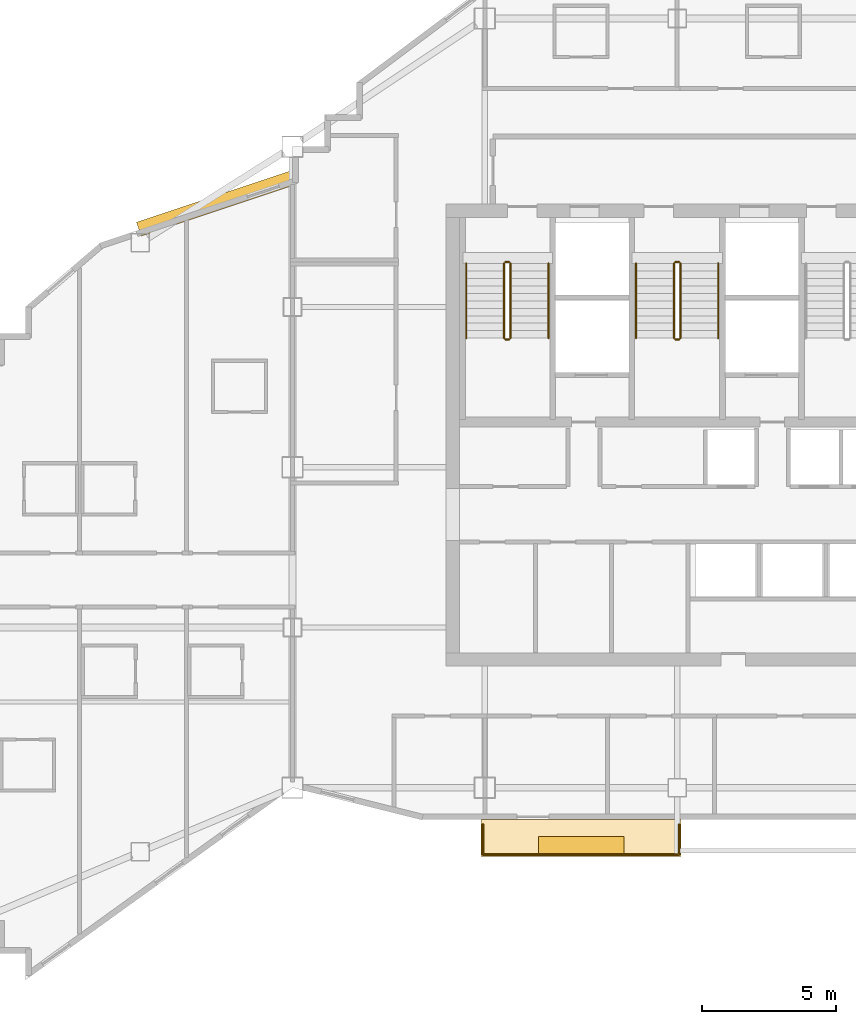
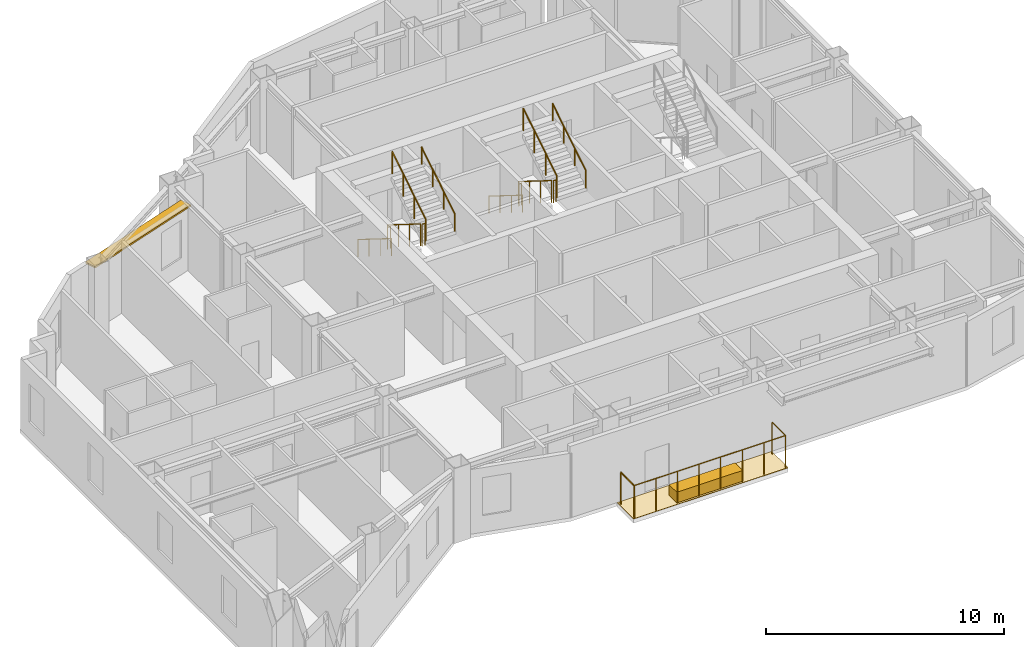
# One storey, part 10 of 11: 14 railings, 2 coverings, 1 shading device.
"""IFC4 building model written with IfcOpenShell, lengths in metres."""

from ifc_helpers import new_model, si_unit, direction, frame, origin, origin_2d, place, context, subcontext, project, spatial, polyline, rectangle, circle, outline, extrude, material, layer, layer_set, type_object, element, save


model = new_model("IFC4")

# Units and contexts
model_context = context("Model", 3, precision=1e-05, world=origin(), true_north=direction((0.0, 1.0)))
body_context = subcontext(model_context, "Body", "Model", "MODEL_VIEW")
ifc_project = project(units=[si_unit("LENGTHUNIT", "METRE"), si_unit("AREAUNIT", "SQUARE_METRE"), si_unit("VOLUMEUNIT", "CUBIC_METRE"), si_unit("PLANEANGLEUNIT", "RADIAN"), si_unit("MASSUNIT", "GRAM", prefix="KILO")], contexts=[model_context])

# Site, building, storey
site_placement = place(None, origin())
site = spatial("IfcSite", under=ifc_project, at=site_placement, CompositionType="ELEMENT")
building_placement = place(site_placement, origin())
building = spatial("IfcBuilding", under=site, at=building_placement, Name="Haolan Belvedere Tower", CompositionType="ELEMENT")
storey_placement = place(building_placement, frame((0.0, 0.0, 254.449951171875)))
storey = spatial("IfcBuildingStorey", under=building, at=storey_placement, Name="L64", CompositionType="ELEMENT", Elevation=254.449951171875)

# Coverings
ifc_material_1 = material(Name="Engineered lightweight planted garden soil substrate", Category="masonry")
ifc_layer_1 = layer(ifc_material_1, 0.550048828125, Name="Engineered lightweight planted garden soil substrate")
ifc_layer_set_1 = layer_set([ifc_layer_1], Name="Engineered lightweight planted garden soil substrate")
covering_type_1 = type_object("IfcCoveringType", Name="COV-PLANT-550", PredefinedType="MEMBRANE", material=ifc_layer_set_1)
covering_1_placement = place(storey_placement, frame((34.800048828125, 19.43994140625, 0.0), z_axis=(0.0, 0.0, 1.0), x_axis=(1.0, 0.0, 0.0)))
element("IfcCovering", 1, at=covering_1_placement, inside=storey, type_object=covering_type_1, Name="L64 structural tree balcony PLANTER box 1", PredefinedType="MEMBRANE", context=body_context, shape_type="SweptSolid", body=[
    extrude(rectangle(XDim=3.199951171875, YDim=0.64990234375, at=origin_2d()), origin(), (0.0, 0.0, 1.0), 0.550048828125),
])
ifc_material_2 = material(Name="Elastomeric waterproof roofing membrane and stone pavers", Category="masonry")
ifc_layer_2 = layer(ifc_material_2, 0.02001953125, Name="Elastomeric waterproof roofing membrane and stone pavers")
ifc_layer_set_2 = layer_set([ifc_layer_2], Name="Elastomeric waterproof roofing membrane and stone pavers")
covering_type_2 = type_object("IfcCoveringType", Name="COV-ROOF-20", PredefinedType="ROOFING", material=ifc_layer_set_2)
covering_2_placement = place(storey_placement, frame((0.0, 0.0, -0.02001953125)))
element("IfcCovering", 2, at=covering_2_placement, inside=storey, type_object=covering_type_2, Name="L64 tree-balcony waterproof membrane 1", PredefinedType="ROOFING", context=body_context, shape_type="SweptSolid", body=[
    extrude(outline(polyline([(31.050048828125, 19.02001953125), (38.550048828125, 19.02001953125), (38.550048828125, 20.39990234375), (31.050048828125, 20.39990234375), (31.050048828125, 19.02001953125)])), origin(), (0.0, 0.0, 1.0), 0.02001953125),
])

# Railings
ifc_material_3 = material(Name="Brushed stainless steel 304", Category="steel")
railing_type_1 = type_object("IfcRailingType", Name="RL-STAIR-GRD-1150", PredefinedType="GUARDRAIL", material=ifc_material_3)
railing_1_placement = place(storey_placement, frame((31.919921875, 41.22998046875, 0.175048828125)))
element("IfcRailing", 3, at=railing_1_placement, inside=storey, type_object=railing_type_1, Name="L64 ST1 stair guard 1", PredefinedType="GUARDRAIL", context=body_context, shape_type="SweptSolid", body=[
    extrude(circle(Radius=0.02392578125, at=origin_2d()), frame((0.0, 0.0, 1.1259765625), z_axis=(0.0, -0.848002457836, 0.529992293815), x_axis=(1.0, 0.0, 0.0)), (0.0, 0.0, 1.0), 3.302001953125),
    extrude(circle(Radius=0.02099609375, at=origin_2d()), origin(), (0.0, 0.0, 1.0), 1.101806640625),
    extrude(circle(Radius=0.02099609375, at=origin_2d()), frame((0.0, -0.933349609375, 0.583251953125)), (0.0, 0.0, 1.0), 1.101806640625),
    extrude(circle(Radius=0.02099609375, at=origin_2d()), frame((0.0, -1.86669921875, 1.166748046875)), (0.0, 0.0, 1.0), 1.101806640625),
    extrude(circle(Radius=0.02099609375, at=origin_2d()), frame((0.0, -2.800048828125, 1.75)), (0.0, 0.0, 1.0), 1.101806640625),
])
railing_2_placement = place(storey_placement, frame((31.969970703125, 38.3798828125, 1.925048828125)))
element("IfcRailing", 4, at=railing_2_placement, inside=storey, type_object=railing_type_1, Name="L64 ST1 stair guard 2", PredefinedType="GUARDRAIL", context=body_context, shape_type="SweptSolid", body=[
    extrude(circle(Radius=0.02392578125, at=origin_2d()), frame((0.0, 0.0, 1.1259765625), z_axis=(1.0, 0.0, 0.0), x_axis=(0.0, 1.0, 0.0)), (0.0, 0.0, 1.0), 0.14013671875),
    extrude(circle(Radius=0.02099609375, at=origin_2d()), origin(), (0.0, 0.0, 1.0), 1.101806640625),
    extrude(circle(Radius=0.02099609375, at=origin_2d()), frame((0.14013671875, 0.0, 0.0)), (0.0, 0.0, 1.0), 1.101806640625),
])
railing_3_placement = place(storey_placement, frame((32.159912109375, 38.429931640625, 2.10009765625)))
element("IfcRailing", 5, at=railing_3_placement, inside=storey, type_object=railing_type_1, Name="L64 ST1 stair guard 3", PredefinedType="GUARDRAIL", context=body_context, shape_type="SweptSolid", body=[
    extrude(circle(Radius=0.02392578125, at=origin_2d()), frame((0.0, 0.0, 1.1259765625), z_axis=(0.0, 0.848002457836, 0.529992293815), x_axis=(-1.0, 0.0, 0.0)), (0.0, 0.0, 1.0), 3.302001953125),
    extrude(circle(Radius=0.02099609375, at=origin_2d()), origin(), (0.0, 0.0, 1.0), 1.101806640625),
    extrude(circle(Radius=0.02099609375, at=origin_2d()), frame((0.0, 0.933349609375, 0.583251953125)), (0.0, 0.0, 1.0), 1.101806640625),
    extrude(circle(Radius=0.02099609375, at=origin_2d()), frame((0.0, 1.86669921875, 1.166748046875)), (0.0, 0.0, 1.0), 1.101806640625),
    extrude(circle(Radius=0.02099609375, at=origin_2d()), frame((0.0, 2.800048828125, 1.75)), (0.0, 0.0, 1.0), 1.101806640625),
])
railing_4_placement = place(storey_placement, frame((31.969970703125, 41.280029296875, 0.0)))
element("IfcRailing", 6, at=railing_4_placement, inside=storey, type_object=railing_type_1, Name="L64 ST1 stair guard 4", PredefinedType="GUARDRAIL", context=body_context, shape_type="SweptSolid", body=[
    extrude(circle(Radius=0.02392578125, at=origin_2d()), frame((0.0, 0.0, 1.1259765625), z_axis=(1.0, 0.0, 0.0), x_axis=(0.0, 1.0, 0.0)), (0.0, 0.0, 1.0), 0.14013671875),
    extrude(circle(Radius=0.02099609375, at=origin_2d()), origin(), (0.0, 0.0, 1.0), 1.101806640625),
    extrude(circle(Radius=0.02099609375, at=origin_2d()), frame((0.14013671875, 0.0, 0.0)), (0.0, 0.0, 1.0), 1.101806640625),
])
railing_5_placement = place(storey_placement, frame((38.280029296875, 41.22998046875, 0.175048828125)))
element("IfcRailing", 7, at=railing_5_placement, inside=storey, type_object=railing_type_1, Name="L64 ST3 stair guard 1", PredefinedType="GUARDRAIL", context=body_context, shape_type="SweptSolid", body=[
    extrude(circle(Radius=0.02392578125, at=origin_2d()), frame((0.0, 0.0, 1.1259765625), z_axis=(0.0, -0.848002457836, 0.529992293815), x_axis=(1.0, 0.0, 0.0)), (0.0, 0.0, 1.0), 3.302001953125),
    extrude(circle(Radius=0.02099609375, at=origin_2d()), origin(), (0.0, 0.0, 1.0), 1.101806640625),
    extrude(circle(Radius=0.02099609375, at=origin_2d()), frame((0.0, -0.933349609375, 0.583251953125)), (0.0, 0.0, 1.0), 1.101806640625),
    extrude(circle(Radius=0.02099609375, at=origin_2d()), frame((0.0, -1.86669921875, 1.166748046875)), (0.0, 0.0, 1.0), 1.101806640625),
    extrude(circle(Radius=0.02099609375, at=origin_2d()), frame((0.0, -2.800048828125, 1.75)), (0.0, 0.0, 1.0), 1.101806640625),
])
railing_6_placement = place(storey_placement, frame((38.330078125, 38.3798828125, 1.925048828125)))
element("IfcRailing", 8, at=railing_6_placement, inside=storey, type_object=railing_type_1, Name="L64 ST3 stair guard 2", PredefinedType="GUARDRAIL", context=body_context, shape_type="SweptSolid", body=[
    extrude(circle(Radius=0.02392578125, at=origin_2d()), frame((0.0, 0.0, 1.1259765625), z_axis=(1.0, 0.0, 0.0), x_axis=(0.0, 1.0, 0.0)), (0.0, 0.0, 1.0), 0.139892578125),
    extrude(circle(Radius=0.02099609375, at=origin_2d()), origin(), (0.0, 0.0, 1.0), 1.101806640625),
    extrude(circle(Radius=0.02099609375, at=origin_2d()), frame((0.139892578125, 0.0, 0.0)), (0.0, 0.0, 1.0), 1.101806640625),
])
railing_7_placement = place(storey_placement, frame((38.52001953125, 38.429931640625, 2.10009765625)))
element("IfcRailing", 9, at=railing_7_placement, inside=storey, type_object=railing_type_1, Name="L64 ST3 stair guard 3", PredefinedType="GUARDRAIL", context=body_context, shape_type="SweptSolid", body=[
    extrude(circle(Radius=0.02392578125, at=origin_2d()), frame((0.0, 0.0, 1.1259765625), z_axis=(0.0, 0.848002457836, 0.529992293815), x_axis=(-1.0, 0.0, 0.0)), (0.0, 0.0, 1.0), 3.302001953125),
    extrude(circle(Radius=0.02099609375, at=origin_2d()), origin(), (0.0, 0.0, 1.0), 1.101806640625),
    extrude(circle(Radius=0.02099609375, at=origin_2d()), frame((0.0, 0.933349609375, 0.583251953125)), (0.0, 0.0, 1.0), 1.101806640625),
    extrude(circle(Radius=0.02099609375, at=origin_2d()), frame((0.0, 1.86669921875, 1.166748046875)), (0.0, 0.0, 1.0), 1.101806640625),
    extrude(circle(Radius=0.02099609375, at=origin_2d()), frame((0.0, 2.800048828125, 1.75)), (0.0, 0.0, 1.0), 1.101806640625),
])
railing_8_placement = place(storey_placement, frame((38.330078125, 41.280029296875, 0.0)))
element("IfcRailing", 10, at=railing_8_placement, inside=storey, type_object=railing_type_1, Name="L64 ST3 stair guard 4", PredefinedType="GUARDRAIL", context=body_context, shape_type="SweptSolid", body=[
    extrude(circle(Radius=0.02392578125, at=origin_2d()), frame((0.0, 0.0, 1.1259765625), z_axis=(1.0, 0.0, 0.0), x_axis=(0.0, 1.0, 0.0)), (0.0, 0.0, 1.0), 0.139892578125),
    extrude(circle(Radius=0.02099609375, at=origin_2d()), origin(), (0.0, 0.0, 1.0), 1.101806640625),
    extrude(circle(Radius=0.02099609375, at=origin_2d()), frame((0.139892578125, 0.0, 0.0)), (0.0, 0.0, 1.0), 1.101806640625),
])
railing_type_2 = type_object("IfcRailingType", Name="RL-STAIR-HND-900", PredefinedType="HANDRAIL", material=ifc_material_3)
railing_9_placement = place(storey_placement, frame((30.5, 41.22998046875, 0.175048828125)))
element("IfcRailing", 11, at=railing_9_placement, inside=storey, type_object=railing_type_2, Name="L64 ST1 stair handrail 1", PredefinedType="HANDRAIL", context=body_context, shape_type="SweptSolid", body=[
    extrude(circle(Radius=0.02392578125, at=origin_2d()), frame((0.0, 0.0, 0.8759765625), z_axis=(0.0, -0.848002457836, 0.529992293815), x_axis=(1.0, 0.0, 0.0)), (0.0, 0.0, 1.0), 3.302001953125),
    extrude(circle(Radius=0.02099609375, at=origin_2d()), origin(), (0.0, 0.0, 1.0), 0.851806640625),
    extrude(circle(Radius=0.02099609375, at=origin_2d()), frame((0.0, -0.933349609375, 0.583251953125)), (0.0, 0.0, 1.0), 0.851806640625),
    extrude(circle(Radius=0.02099609375, at=origin_2d()), frame((0.0, -1.86669921875, 1.166748046875)), (0.0, 0.0, 1.0), 0.851806640625),
    extrude(circle(Radius=0.02099609375, at=origin_2d()), frame((0.0, -2.800048828125, 1.75)), (0.0, 0.0, 1.0), 0.851806640625),
])
railing_10_placement = place(storey_placement, frame((33.580078125, 38.429931640625, 2.10009765625)))
element("IfcRailing", 12, at=railing_10_placement, inside=storey, type_object=railing_type_2, Name="L64 ST1 stair handrail 2", PredefinedType="HANDRAIL", context=body_context, shape_type="SweptSolid", body=[
    extrude(circle(Radius=0.02392578125, at=origin_2d()), frame((0.0, 0.0, 0.8759765625), z_axis=(0.0, 0.848002457836, 0.529992293815), x_axis=(-1.0, 0.0, 0.0)), (0.0, 0.0, 1.0), 3.302001953125),
    extrude(circle(Radius=0.02099609375, at=origin_2d()), origin(), (0.0, 0.0, 1.0), 0.851806640625),
    extrude(circle(Radius=0.02099609375, at=origin_2d()), frame((0.0, 0.933349609375, 0.583251953125)), (0.0, 0.0, 1.0), 0.851806640625),
    extrude(circle(Radius=0.02099609375, at=origin_2d()), frame((0.0, 1.86669921875, 1.166748046875)), (0.0, 0.0, 1.0), 0.851806640625),
    extrude(circle(Radius=0.02099609375, at=origin_2d()), frame((0.0, 2.800048828125, 1.75)), (0.0, 0.0, 1.0), 0.851806640625),
])
railing_11_placement = place(storey_placement, frame((36.860107421875, 41.22998046875, 0.175048828125)))
element("IfcRailing", 13, at=railing_11_placement, inside=storey, type_object=railing_type_2, Name="L64 ST3 stair handrail 1", PredefinedType="HANDRAIL", context=body_context, shape_type="SweptSolid", body=[
    extrude(circle(Radius=0.02392578125, at=origin_2d()), frame((0.0, 0.0, 0.8759765625), z_axis=(0.0, -0.848002457836, 0.529992293815), x_axis=(1.0, 0.0, 0.0)), (0.0, 0.0, 1.0), 3.302001953125),
    extrude(circle(Radius=0.02099609375, at=origin_2d()), origin(), (0.0, 0.0, 1.0), 0.851806640625),
    extrude(circle(Radius=0.02099609375, at=origin_2d()), frame((0.0, -0.933349609375, 0.583251953125)), (0.0, 0.0, 1.0), 0.851806640625),
    extrude(circle(Radius=0.02099609375, at=origin_2d()), frame((0.0, -1.86669921875, 1.166748046875)), (0.0, 0.0, 1.0), 0.851806640625),
    extrude(circle(Radius=0.02099609375, at=origin_2d()), frame((0.0, -2.800048828125, 1.75)), (0.0, 0.0, 1.0), 0.851806640625),
])
railing_12_placement = place(storey_placement, frame((39.93994140625, 38.429931640625, 2.10009765625)))
element("IfcRailing", 14, at=railing_12_placement, inside=storey, type_object=railing_type_2, Name="L64 ST3 stair handrail 2", PredefinedType="HANDRAIL", context=body_context, shape_type="SweptSolid", body=[
    extrude(circle(Radius=0.02392578125, at=origin_2d()), frame((0.0, 0.0, 0.8759765625), z_axis=(0.0, 0.848002457836, 0.529992293815), x_axis=(-1.0, 0.0, 0.0)), (0.0, 0.0, 1.0), 3.302001953125),
    extrude(circle(Radius=0.02099609375, at=origin_2d()), origin(), (0.0, 0.0, 1.0), 0.851806640625),
    extrude(circle(Radius=0.02099609375, at=origin_2d()), frame((0.0, 0.933349609375, 0.583251953125)), (0.0, 0.0, 1.0), 0.851806640625),
    extrude(circle(Radius=0.02099609375, at=origin_2d()), frame((0.0, 1.86669921875, 1.166748046875)), (0.0, 0.0, 1.0), 0.851806640625),
    extrude(circle(Radius=0.02099609375, at=origin_2d()), frame((0.0, 2.800048828125, 1.75)), (0.0, 0.0, 1.0), 0.851806640625),
])
ifc_material_4 = material(Name="Anodised aluminium and laminated glass balustrade", Category="aluminium")
railing_type_3 = type_object("IfcRailingType", Name="RL-TER-BAL-1150", PredefinedType="BALUSTRADE", material=ifc_material_4)
railing_13_placement = place(storey_placement, frame((31.1298828125, 19.10009765625, 0.0)))
element("IfcRailing", 15, at=railing_13_placement, inside=storey, type_object=railing_type_3, Name="L64 outdoor perimeter balustrade BAL-L64-1-1", PredefinedType="BALUSTRADE", context=body_context, shape_type="SweptSolid", body=[
    extrude(circle(Radius=0.02392578125, at=origin_2d()), frame((0.0, 0.0, 1.6259765625), z_axis=(0.0, 1.0, 0.0), x_axis=(-1.0, 0.0, 0.0)), (0.0, 0.0, 1.0), 1.119873046875),
    extrude(circle(Radius=0.02099609375, at=origin_2d()), origin(), (0.0, 0.0, 1.0), 1.601806640625),
    extrude(circle(Radius=0.02099609375, at=origin_2d()), frame((0.0, 1.119873046875, 0.0)), (0.0, 0.0, 1.0), 1.601806640625),
])
railing_14_placement = place(storey_placement, frame((38.469970703125, 20.219970703125, 0.0)))
element("IfcRailing", 16, at=railing_14_placement, inside=storey, type_object=railing_type_3, Name="L64 outdoor perimeter balustrade BAL-L64-1-2", PredefinedType="BALUSTRADE", context=body_context, shape_type="SweptSolid", body=[
    extrude(circle(Radius=0.02392578125, at=origin_2d()), frame((0.0, 0.0, 1.6259765625), z_axis=(0.0, -1.0, 0.0), x_axis=(1.0, 0.0, 0.0)), (0.0, 0.0, 1.0), 1.119873046875),
    extrude(circle(Radius=0.02392578125, at=origin_2d()), frame((0.0, -1.119873046875, 1.6259765625), z_axis=(-1.0, 0.0, 0.0), x_axis=(0.0, -1.0, 0.0)), (0.0, 0.0, 1.0), 7.340087890625),
    extrude(circle(Radius=0.02099609375, at=origin_2d()), origin(), (0.0, 0.0, 1.0), 1.601806640625),
    extrude(circle(Radius=0.02099609375, at=origin_2d()), frame((0.0, -1.119873046875, 0.0)), (0.0, 0.0, 1.0), 1.601806640625),
    extrude(circle(Radius=0.02099609375, at=origin_2d()), frame((-1.048583984375, -1.119873046875, 0.0)), (0.0, 0.0, 1.0), 1.601806640625),
    extrude(circle(Radius=0.02099609375, at=origin_2d()), frame((-2.09716796875, -1.119873046875, 0.0)), (0.0, 0.0, 1.0), 1.601806640625),
    extrude(circle(Radius=0.02099609375, at=origin_2d()), frame((-3.145751953125, -1.119873046875, 0.0)), (0.0, 0.0, 1.0), 1.601806640625),
    extrude(circle(Radius=0.02099609375, at=origin_2d()), frame((-4.1943359375, -1.119873046875, 0.0)), (0.0, 0.0, 1.0), 1.601806640625),
    extrude(circle(Radius=0.02099609375, at=origin_2d()), frame((-5.242919921875, -1.119873046875, 0.0)), (0.0, 0.0, 1.0), 1.601806640625),
    extrude(circle(Radius=0.02099609375, at=origin_2d()), frame((-6.29150390625, -1.119873046875, 0.0)), (0.0, 0.0, 1.0), 1.601806640625),
    extrude(circle(Radius=0.02099609375, at=origin_2d()), frame((-7.340087890625, -1.119873046875, 0.0)), (0.0, 0.0, 1.0), 1.601806640625),
])

# Shading device
ifc_material_5 = material(Name="Anodised champagne-silver aluminium 6063-T6", Category="aluminium")
ifc_layer_3 = layer(ifc_material_5, 0.080078125, Name="Anodised champagne-silver aluminium 6063-T6")
ifc_layer_set_3 = layer_set([ifc_layer_3], Name="Anodised champagne-silver aluminium 6063-T6")
shading_device_type = type_object("IfcShadingDeviceType", Name="SHD-SUN-550", PredefinedType="USERDEFINED", material=ifc_layer_set_3)
shading_device_placement = place(storey_placement, frame((21.123779296875, 43.472900390625, 3.215087890625), z_axis=(0.0, 0.0, 1.0), x_axis=(-0.948688534679, -0.316212055698, 0.0)))
element("IfcShadingDevice", 17, at=shading_device_placement, inside=storey, type_object=shading_device_type, Name="L64 pale-metal horizontal SUNSHADE band 17.1", ObjectType="SUNSHADE", PredefinedType="USERDEFINED", context=body_context, shape_type="SweptSolid", body=[
    extrude(rectangle(XDim=6.072509765625, YDim=0.550048828125, at=origin_2d()), origin(), (0.0, 0.0, 1.0), 0.080078125),
])

save(model, "model.ifc")
